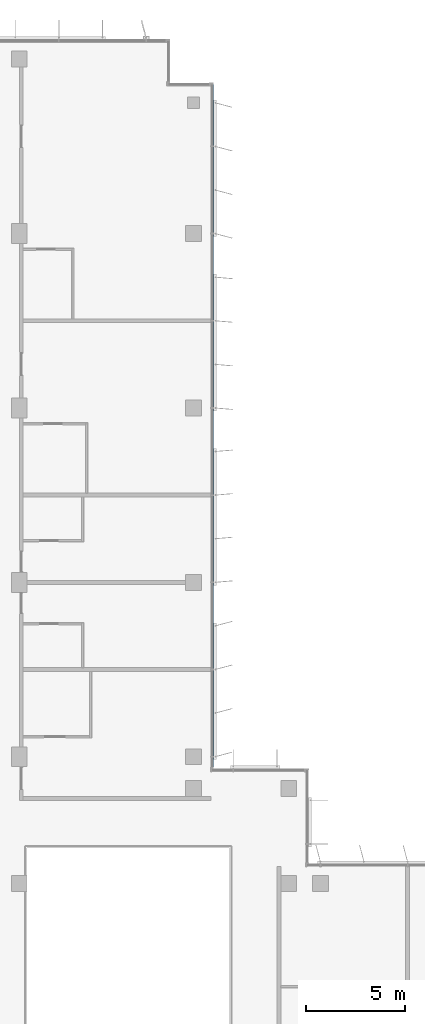
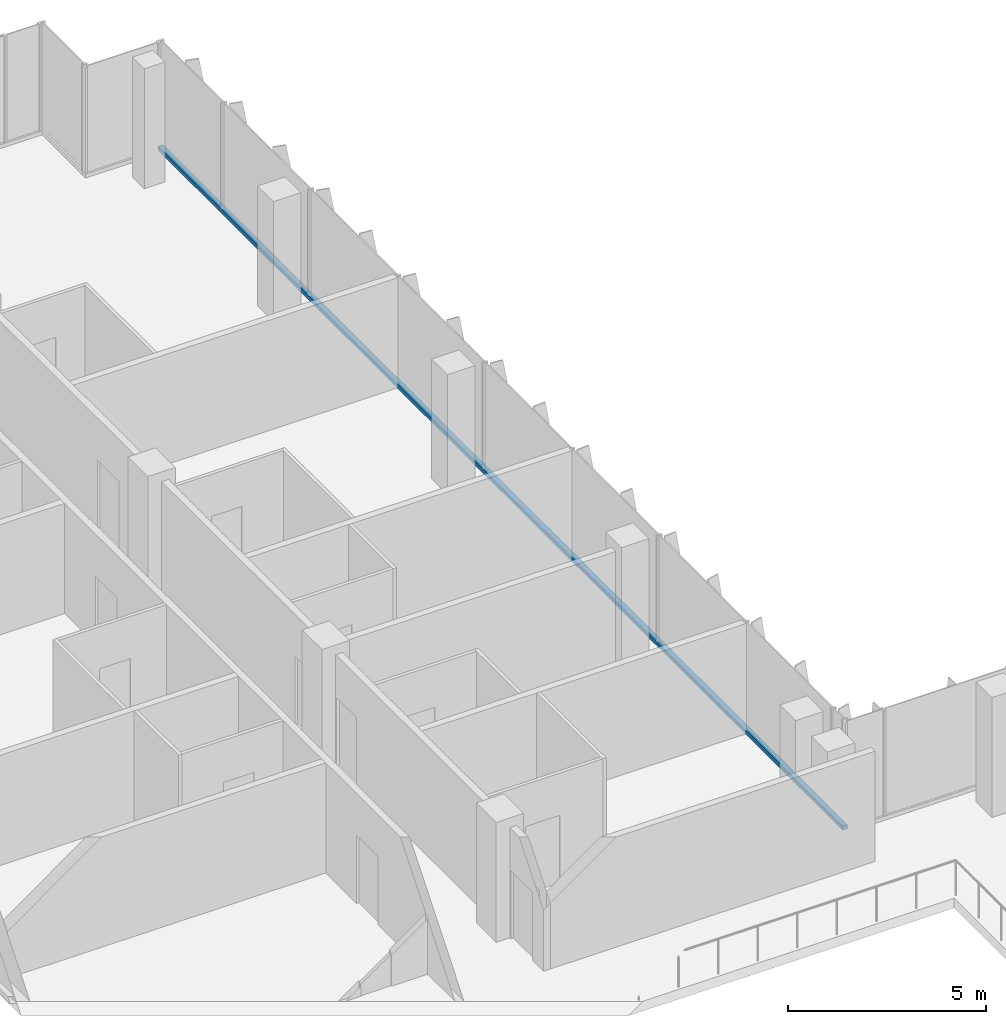
# One storey, part 5 of 15: 1 member, 1 element without a shape of its own.
"""IFC4 building model written with IfcOpenShell, lengths in metres."""

from ifc_helpers import new_model, si_unit, direction, frame, origin, origin_2d, place, context, subcontext, project, spatial, rectangle, extrude, material, material_profile, profile_set, type_object, element, aggregate, save


model = new_model("IFC4")

# Units and contexts
model_context = context("Model", 3, precision=1e-05, world=origin(), true_north=direction((0.0, 1.0)))
body_context = subcontext(model_context, "Body", "Model", "MODEL_VIEW")
ifc_project = project(units=[si_unit("LENGTHUNIT", "METRE"), si_unit("AREAUNIT", "SQUARE_METRE"), si_unit("VOLUMEUNIT", "CUBIC_METRE"), si_unit("PLANEANGLEUNIT", "RADIAN"), si_unit("MASSUNIT", "GRAM", prefix="KILO")], contexts=[model_context])

# Site, building, storey
site_placement = place(None, origin())
site = spatial("IfcSite", under=ifc_project, at=site_placement, CompositionType="ELEMENT")
building_placement = place(site_placement, origin())
building = spatial("IfcBuilding", under=site, at=building_placement, Name="Kemantara Hotel Tower", CompositionType="ELEMENT")
storey_placement = place(building_placement, frame((0.0, 0.0, 268.5)))
storey = spatial("IfcBuildingStorey", under=building, at=storey_placement, Name="L67", CompositionType="ELEMENT", Elevation=268.5)

# Curtain wall, member
ifc_material_1 = material(Name="Low-E tinted double insulated glass 36 mm", Category="glass")
curtain_wall_type = type_object("IfcCurtainWallType", Name="TOWER CURTAIN WALL, FRONT FACES", PredefinedType="USERDEFINED", material=ifc_material_1)
curtain_wall_placement = place(storey_placement, origin())
curtain_wall = element("IfcCurtainWall", 1, at=curtain_wall_placement, inside=storey, type_object=curtain_wall_type, Name="CW4 L67 T4-R15-1", ObjectType="TOWER CURTAIN WALL, FRONT FACES", PredefinedType="USERDEFINED")
ifc_material_2 = material(Name="Aluminium 6063-T6 bronze anodised", Category="aluminium")
ifc_material_profile = material_profile(ifc_material_2, rectangle(XDim=0.14990234375, YDim=0.1201171875, at=origin_2d()), Name="TOWER CURTAIN WALL, FRONT FACES TRANSOM")
ifc_profile_set = profile_set([ifc_material_profile], Name="Aluminium 6063-T6 bronze anodised")
member_type = type_object("IfcMemberType", Name="TOWER CURTAIN WALL, FRONT FACES TRANSOM", PredefinedType="USERDEFINED", material=ifc_profile_set)
member_placement = place(storey_placement, frame((21.925048828125, 26.800048828125, 0.06005859375), z_axis=(0.0, 1.0, 0.0), x_axis=(-1.0, 0.0, 0.0)))
member = element("IfcMember", 2, at=member_placement, type_object=member_type, Name="CW4 sill transom T4-R15-1", ObjectType="TRANSOM", PredefinedType="USERDEFINED", context=body_context, shape_type="SweptSolid", body=[
    extrude(rectangle(XDim=0.14990234375, YDim=0.1201171875, at=origin_2d()), origin(), (0.0, 0.0, 1.0), 34.599853515625),
])
aggregate(curtain_wall, [member])

save(model, "model.ifc")
